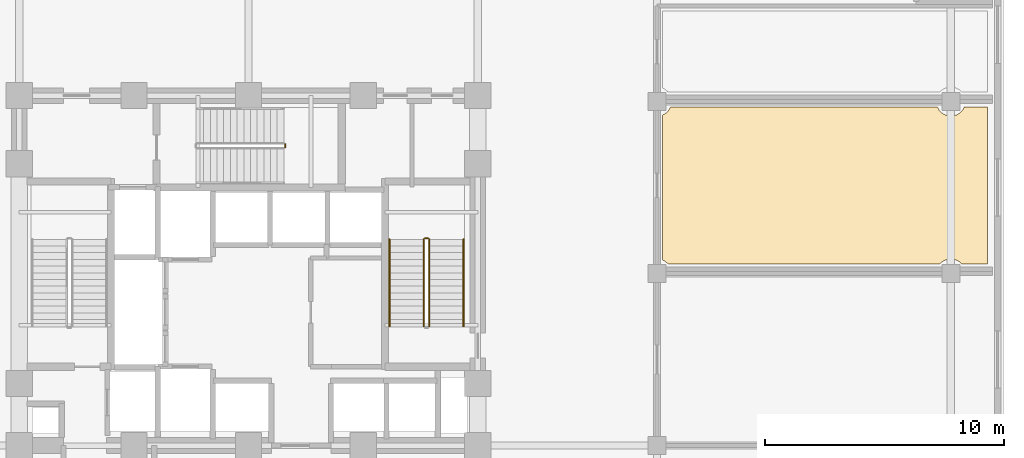
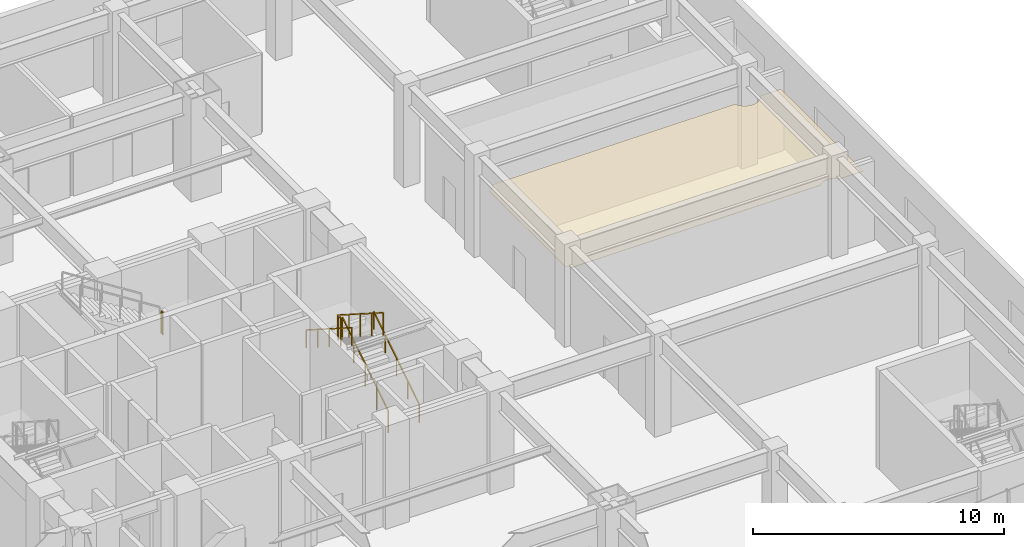
# One storey, part 20 of 24: 6 railings, 1 covering.
"""IFC4 building model written with IfcOpenShell, lengths in metres."""

from ifc_helpers import new_model, si_unit, direction, frame, origin, origin_2d, place, context, subcontext, project, spatial, polyline, rectangle, outline, extrude, material, layer, layer_set, type_object, element, save


model = new_model("IFC4")

# Units and contexts
model_context = context("Model", 3, precision=1e-05, world=origin(), true_north=direction((0.0, 1.0)))
body_context = subcontext(model_context, "Body", "Model", "MODEL_VIEW")
ifc_project = project(units=[si_unit("LENGTHUNIT", "METRE"), si_unit("AREAUNIT", "SQUARE_METRE"), si_unit("VOLUMEUNIT", "CUBIC_METRE"), si_unit("PLANEANGLEUNIT", "RADIAN"), si_unit("MASSUNIT", "GRAM", prefix="KILO")], contexts=[model_context])

# Site, building, storey
site_placement = place(None, origin())
site = spatial("IfcSite", under=ifc_project, at=site_placement, CompositionType="ELEMENT")
building_placement = place(site_placement, origin())
building = spatial("IfcBuilding", under=site, at=building_placement, Name="Vantalir Tower", CompositionType="ELEMENT")
storey_placement = place(building_placement, frame((0.0, 0.0, 11.0)))
storey = spatial("IfcBuildingStorey", under=building, at=storey_placement, Name="L02", CompositionType="ELEMENT", Elevation=11.0)

# Covering
ifc_material_1 = material(Name="Perforated acoustic gypsum ceiling board", Category="gypsum")
ifc_layer = layer(ifc_material_1, 0.02001953125)
ifc_layer_set = layer_set([ifc_layer], Name="Perforated acoustic gypsum ceiling board")
covering_type = type_object("IfcCoveringType", Name="COV-ACOUSTIC-CEIL-20", PredefinedType="CEILING", material=ifc_layer_set)
covering_placement = place(storey_placement, frame((0.0, 0.0, 3.1298828125)))
element("IfcCovering", 1, at=covering_placement, inside=storey, type_object=covering_type, Name="Level 02 Conference Room 2 Suspended Ceiling", PredefinedType="CEILING", context=body_context, shape_type="SweptSolid", body=[
    extrude(outline(polyline([(62.429931640625, 31.97998046875), (61.4619140625, 31.967041015625), (61.43603515625, 31.9130859375), (61.406005859375, 31.862060546875), (61.3701171875, 31.81396484375), (61.330078125, 31.77001953125), (61.285888671875, 31.72998046875), (61.238037109375, 31.694091796875), (61.18701171875, 31.6640625), (61.133056640625, 31.637939453125), (61.075927734375, 31.617919921875), (61.01904296875, 31.60400390625), (60.9599609375, 31.594970703125), (60.89990234375, 31.592041015625), (60.840087890625, 31.594970703125), (60.781005859375, 31.60400390625), (60.72412109375, 31.617919921875), (60.6669921875, 31.637939453125), (60.613037109375, 31.6640625), (60.56201171875, 31.694091796875), (60.513916015625, 31.72998046875), (60.469970703125, 31.77001953125), (60.429931640625, 31.81396484375), (60.39404296875, 31.862060546875), (60.364013671875, 31.9130859375), (60.333984375, 31.97998046875), (49.162109375, 31.967041015625), (49.135986328125, 31.9130859375), (49.10595703125, 31.862060546875), (49.070068359375, 31.81396484375), (49.030029296875, 31.77001953125), (48.986083984375, 31.72998046875), (48.93798828125, 31.694091796875), (48.886962890625, 31.6640625), (48.820068359375, 31.634033203125), (48.8330078125, 25.56201171875), (48.886962890625, 25.535888671875), (48.93798828125, 25.506103515625), (48.986083984375, 25.469970703125), (49.030029296875, 25.429931640625), (49.056884765625, 25.39990234375), (60.443115234375, 25.39990234375), (60.469970703125, 25.429931640625), (60.513916015625, 25.469970703125), (60.56201171875, 25.506103515625), (60.613037109375, 25.535888671875), (60.6669921875, 25.56201171875), (60.72412109375, 25.58203125), (60.781005859375, 25.595947265625), (60.840087890625, 25.60498046875), (60.89990234375, 25.60791015625), (60.9599609375, 25.60498046875), (61.01904296875, 25.595947265625), (61.075927734375, 25.58203125), (61.133056640625, 25.56201171875), (61.18701171875, 25.535888671875), (61.238037109375, 25.506103515625), (61.285888671875, 25.469970703125), (61.330078125, 25.429931640625), (61.35693359375, 25.39990234375), (62.429931640625, 25.39990234375), (62.429931640625, 31.97998046875)])), origin(), (0.0, 0.0, 1.0), 0.02001953125),
])

# Railings
ifc_material_2 = material(Name="Anodised aluminium and stainless steel guard", Category="steel")
railing_type_1 = type_object("IfcRailingType", Name="RAL-GUARD-1120", PredefinedType="GUARDRAIL", material=ifc_material_2)
railing_1_placement = place(storey_placement, frame((39.06005859375, 22.7900390625, 0.178466796875)))
element("IfcRailing", 2, at=railing_1_placement, inside=storey, type_object=railing_type_1, Name="Level 02 ST2 stair guard 1", PredefinedType="GUARDRAIL", context=body_context, shape_type="SweptSolid", body=[
    extrude(rectangle(XDim=0.048095703125, YDim=0.048095703125, at=origin_2d()), frame((0.0, 0.0, 1.09619140625), z_axis=(0.0, 0.843111507901, 0.53773877045), x_axis=(-1.0, 0.0, 0.0)), (0.0, 0.0, 1.0), 4.317138671875),
    extrude(rectangle(XDim=0.0419921875, YDim=0.0419921875, at=origin_2d()), origin(), (0.0, 0.0, 1.0), 1.072021484375),
    extrude(rectangle(XDim=0.0419921875, YDim=0.0419921875, at=origin_2d()), frame((0.0, 0.909912109375, 0.580322265625)), (0.0, 0.0, 1.0), 1.072021484375),
    extrude(rectangle(XDim=0.0419921875, YDim=0.0419921875, at=origin_2d()), frame((0.0, 1.81982421875, 1.16064453125)), (0.0, 0.0, 1.0), 1.072021484375),
    extrude(rectangle(XDim=0.0419921875, YDim=0.0419921875, at=origin_2d()), frame((0.0, 2.72998046875, 1.7412109375)), (0.0, 0.0, 1.0), 1.072021484375),
    extrude(rectangle(XDim=0.0419921875, YDim=0.0419921875, at=origin_2d()), frame((0.0, 3.639892578125, 2.321533203125)), (0.0, 0.0, 1.0), 1.072021484375),
])
railing_2_placement = place(storey_placement, frame((39.010009765625, 26.47998046875, 2.5)))
element("IfcRailing", 3, at=railing_2_placement, inside=storey, type_object=railing_type_1, Name="Level 02 ST2 stair guard 2", PredefinedType="GUARDRAIL", context=body_context, shape_type="SweptSolid", body=[
    extrude(rectangle(XDim=0.048095703125, YDim=0.048095703125, at=origin_2d()), frame((0.0, 0.0, 1.09619140625), z_axis=(-1.0, 0.0, 0.0), x_axis=(0.0, -1.0, 0.0)), (0.0, 0.0, 1.0), 0.1201171875),
    extrude(rectangle(XDim=0.0419921875, YDim=0.0419921875, at=origin_2d()), origin(), (0.0, 0.0, 1.0), 1.072021484375),
    extrude(rectangle(XDim=0.0419921875, YDim=0.0419921875, at=origin_2d()), frame((-0.1201171875, 0.0, 0.0)), (0.0, 0.0, 1.0), 1.072021484375),
])
railing_3_placement = place(storey_placement, frame((38.840087890625, 26.429931640625, 2.678466796875)))
element("IfcRailing", 4, at=railing_3_placement, inside=storey, type_object=railing_type_1, Name="Level 02 ST2 stair guard 3", PredefinedType="GUARDRAIL", context=body_context, shape_type="SweptSolid", body=[
    extrude(rectangle(XDim=0.048095703125, YDim=0.048095703125, at=origin_2d()), frame((0.0, 0.0, 1.09619140625), z_axis=(0.0, -0.843111507901, 0.53773877045), x_axis=(1.0, 0.0, 0.0)), (0.0, 0.0, 1.0), 4.317138671875),
    extrude(rectangle(XDim=0.0419921875, YDim=0.0419921875, at=origin_2d()), origin(), (0.0, 0.0, 1.0), 1.072021484375),
    extrude(rectangle(XDim=0.0419921875, YDim=0.0419921875, at=origin_2d()), frame((0.0, -0.909912109375, 0.580322265625)), (0.0, 0.0, 1.0), 1.072021484375),
    extrude(rectangle(XDim=0.0419921875, YDim=0.0419921875, at=origin_2d()), frame((0.0, -1.81982421875, 1.16064453125)), (0.0, 0.0, 1.0), 1.072021484375),
    extrude(rectangle(XDim=0.0419921875, YDim=0.0419921875, at=origin_2d()), frame((0.0, -2.72998046875, 1.7412109375)), (0.0, 0.0, 1.0), 1.072021484375),
    extrude(rectangle(XDim=0.0419921875, YDim=0.0419921875, at=origin_2d()), frame((0.0, -3.639892578125, 2.321533203125)), (0.0, 0.0, 1.0), 1.072021484375),
])
railing_4_placement = place(storey_placement, frame((33.030029296875, 30.2900390625, 2.5)))
element("IfcRailing", 5, at=railing_4_placement, inside=storey, type_object=railing_type_1, Name="Level 02 ST3 stair guard 2", PredefinedType="GUARDRAIL", context=body_context, shape_type="SweptSolid", body=[
    extrude(rectangle(XDim=0.048095703125, YDim=0.048095703125, at=origin_2d()), frame((0.0, 0.0, 1.09619140625), z_axis=(0.0, 1.0, 0.0), x_axis=(-1.0, 0.0, 0.0)), (0.0, 0.0, 1.0), 0.119873046875),
    extrude(rectangle(XDim=0.0419921875, YDim=0.0419921875, at=origin_2d()), origin(), (0.0, 0.0, 1.0), 1.072021484375),
    extrude(rectangle(XDim=0.0419921875, YDim=0.0419921875, at=origin_2d()), frame((0.0, 0.119873046875, 0.0)), (0.0, 0.0, 1.0), 1.072021484375),
])
ifc_material_3 = material(Name="Brushed stainless steel tubular handrail", Category="steel")
railing_type_2 = type_object("IfcRailingType", Name="RAL-HANDRAIL-900", PredefinedType="HANDRAIL", material=ifc_material_3)
railing_5_placement = place(storey_placement, frame((40.5, 22.7900390625, 0.178466796875)))
element("IfcRailing", 6, at=railing_5_placement, inside=storey, type_object=railing_type_2, Name="Level 02 ST2 stair handrail 1", PredefinedType="HANDRAIL", context=body_context, shape_type="SweptSolid", body=[
    extrude(rectangle(XDim=0.048095703125, YDim=0.048095703125, at=origin_2d()), frame((0.0, 0.0, 0.8759765625), z_axis=(0.0, 0.843111507901, 0.53773877045), x_axis=(-1.0, 0.0, 0.0)), (0.0, 0.0, 1.0), 4.317138671875),
    extrude(rectangle(XDim=0.0419921875, YDim=0.0419921875, at=origin_2d()), origin(), (0.0, 0.0, 1.0), 0.851806640625),
    extrude(rectangle(XDim=0.0419921875, YDim=0.0419921875, at=origin_2d()), frame((0.0, 0.909912109375, 0.580322265625)), (0.0, 0.0, 1.0), 0.851806640625),
    extrude(rectangle(XDim=0.0419921875, YDim=0.0419921875, at=origin_2d()), frame((0.0, 1.81982421875, 1.16064453125)), (0.0, 0.0, 1.0), 0.851806640625),
    extrude(rectangle(XDim=0.0419921875, YDim=0.0419921875, at=origin_2d()), frame((0.0, 2.72998046875, 1.7412109375)), (0.0, 0.0, 1.0), 0.851806640625),
    extrude(rectangle(XDim=0.0419921875, YDim=0.0419921875, at=origin_2d()), frame((0.0, 3.639892578125, 2.321533203125)), (0.0, 0.0, 1.0), 0.851806640625),
])
railing_6_placement = place(storey_placement, frame((37.39990234375, 26.429931640625, 2.678466796875)))
element("IfcRailing", 7, at=railing_6_placement, inside=storey, type_object=railing_type_2, Name="Level 02 ST2 stair handrail 2", PredefinedType="HANDRAIL", context=body_context, shape_type="SweptSolid", body=[
    extrude(rectangle(XDim=0.048095703125, YDim=0.048095703125, at=origin_2d()), frame((0.0, 0.0, 0.8759765625), z_axis=(0.0, -0.843111507901, 0.53773877045), x_axis=(1.0, 0.0, 0.0)), (0.0, 0.0, 1.0), 4.317138671875),
    extrude(rectangle(XDim=0.0419921875, YDim=0.0419921875, at=origin_2d()), origin(), (0.0, 0.0, 1.0), 0.851806640625),
    extrude(rectangle(XDim=0.0419921875, YDim=0.0419921875, at=origin_2d()), frame((0.0, -0.909912109375, 0.580322265625)), (0.0, 0.0, 1.0), 0.851806640625),
    extrude(rectangle(XDim=0.0419921875, YDim=0.0419921875, at=origin_2d()), frame((0.0, -1.81982421875, 1.16064453125)), (0.0, 0.0, 1.0), 0.851806640625),
    extrude(rectangle(XDim=0.0419921875, YDim=0.0419921875, at=origin_2d()), frame((0.0, -2.72998046875, 1.7412109375)), (0.0, 0.0, 1.0), 0.851806640625),
    extrude(rectangle(XDim=0.0419921875, YDim=0.0419921875, at=origin_2d()), frame((0.0, -3.639892578125, 2.321533203125)), (0.0, 0.0, 1.0), 0.851806640625),
])

save(model, "model.ifc")
